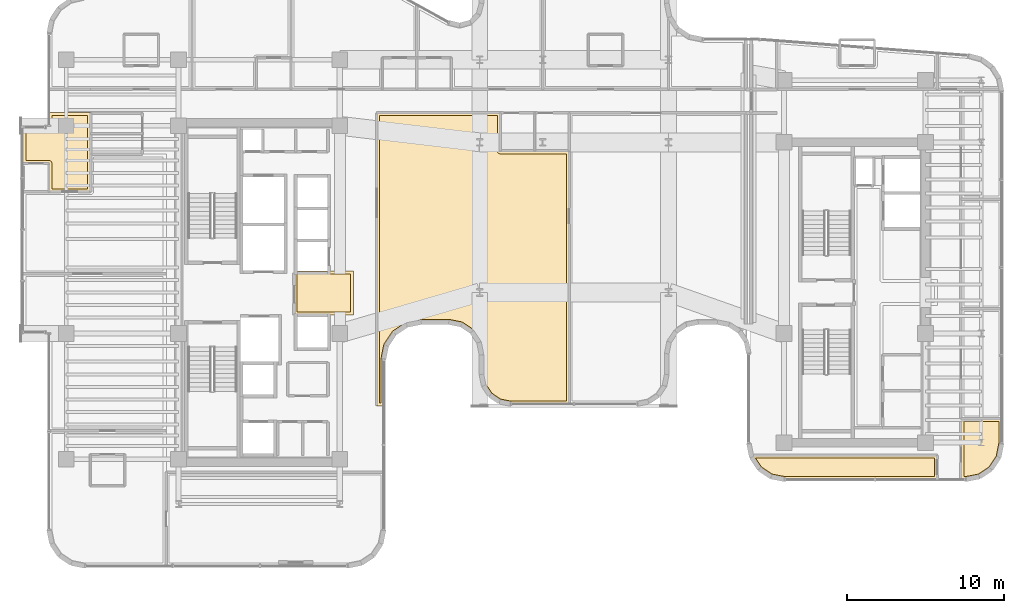
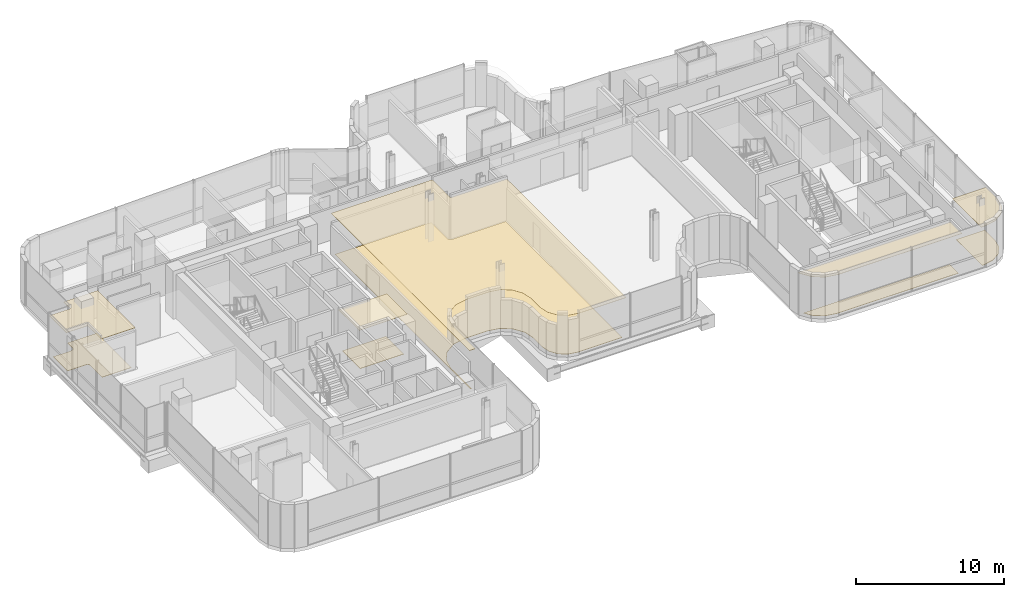
# One storey, part 33 of 36: 10 coverings.
"""IFC4 building model written with IfcOpenShell, lengths in metres."""

import ifcopenshell
import ifcopenshell.guid

model = None  # the IFC model being written
_history = None  # IfcOwnerHistory: only IFC2X3 demands one
_inside = {}  # id of a spatial element -> (the spatial element, [elements in it])
_under = {}  # id of a project, library or spatial element -> (it, [spatial elements below it])
_declared = {}  # id of a project -> (the project, [libraries it declares])
_typed = {}  # id of a type object -> (the type object, [elements of that type])
_made_of = {}  # id of a material, layer set ... -> (it, [elements and type objects made of it])


def new_model(schema):
    """Start an empty IFC model of exactly this schema.

    Asked for "IFC4X3", IfcOpenShell would pick the latest addendum, in which some entities
    have other attributes; the version numbers below select the first issue.
    IFC2X3 requires an IfcOwnerHistory on every rooted entity: one is made here for all.
    """
    global model, _history
    if schema == "IFC4X3":
        model = ifcopenshell.file(schema_version=(4, 3, 0, 0))
    else:
        model = ifcopenshell.file(schema=schema)
    _inside.clear()
    _under.clear()
    _declared.clear()
    _typed.clear()
    _made_of.clear()
    _history = None
    if model.schema == "IFC2X3":
        org = make("IfcOrganization", Name="unknown")
        user = make(
            "IfcPersonAndOrganization",
            ThePerson=make("IfcPerson", FamilyName="unknown"),
            TheOrganization=org,
        )
        app = make(
            "IfcApplication",
            ApplicationDeveloper=org,
            Version="unknown",
            ApplicationFullName="unknown",
            ApplicationIdentifier="unknown",
        )
        _history = make(
            "IfcOwnerHistory",
            OwningUser=user,
            OwningApplication=app,
            ChangeAction="ADDED",
            CreationDate=0,
        )
    return model


def make(cls, **values):
    """One entity of the class cls with the attributes given. An attribute that is None is left unset."""
    return model.create_entity(
        cls, **{name: value for name, value in values.items() if value is not None}
    )


def rooted(cls, **values):
    """An entity with a GlobalId (a new one), such as an element, a storey or a relation."""
    return make(cls, GlobalId=ifcopenshell.guid.new(), OwnerHistory=_history, **values)


def si_unit(unit_type, name, prefix=None):
    """IfcSIUnit, for example si_unit("LENGTHUNIT", "METRE", prefix="MILLI")."""
    return make("IfcSIUnit", UnitType=unit_type, Prefix=prefix, Name=name)


def assignment(units):
    """IfcUnitAssignment: the units of a project."""
    return None if units is None else make("IfcUnitAssignment", Units=units)


def point(xyz):
    """IfcCartesianPoint."""
    return None if xyz is None else make("IfcCartesianPoint", Coordinates=xyz)


def direction(xyz):
    """IfcDirection."""
    return None if xyz is None else make("IfcDirection", DirectionRatios=xyz)


def frame(location, z_axis=None, x_axis=None):
    """IfcAxis2Placement3D, a coordinate frame: its origin and axes. An axis left out is left unset."""
    return make(
        "IfcAxis2Placement3D",
        Location=point(location),
        Axis=direction(z_axis),
        RefDirection=direction(x_axis),
    )


def origin():
    """The frame at (0, 0, 0) with its axes left unset."""
    return frame((0.0, 0.0, 0.0))


def place(relative_to, where):
    """IfcLocalPlacement: puts the frame where relative to a parent placement (None: the world)."""
    return make(
        "IfcLocalPlacement", PlacementRelTo=relative_to, RelativePlacement=where
    )


def context(
    kind, dimensions, precision=None, world=None, true_north=None, identifier=None
):
    """IfcGeometricRepresentationContext, for example the 3D "Model" context."""
    return make(
        "IfcGeometricRepresentationContext",
        ContextIdentifier=identifier,
        ContextType=kind,
        CoordinateSpaceDimension=dimensions,
        Precision=precision,
        WorldCoordinateSystem=world,
        TrueNorth=true_north,
    )


def subcontext(parent, identifier, kind, view, scale=None):
    """IfcGeometricRepresentationSubContext, for example "Body" below "Model"."""
    return make(
        "IfcGeometricRepresentationSubContext",
        ContextIdentifier=identifier,
        ContextType=kind,
        ParentContext=parent,
        TargetScale=scale,
        TargetView=view,
    )


def project(units=None, contexts=None):
    """IfcProject with its units and contexts."""
    return rooted(
        "IfcProject",
        Name="project",
        RepresentationContexts=contexts,
        UnitsInContext=assignment(units),
    )


def spatial(cls, under=None, at=None, **own):
    """A site, building, storey or space (cls), placed at a placement, below another one or the project."""
    s = rooted(cls, ObjectPlacement=at, **own)
    if under is not None:
        _under.setdefault(under.id(), (under, []))[1].append(s)
    return s


def polyline(points):
    """IfcPolyline through the points."""
    return make("IfcPolyline", Points=[point(p) for p in points])


def outline(outer, holes=None, kind="AREA"):
    """IfcArbitraryClosedProfileDef: a profile drawn as a closed curve; with holes, ...WithVoids."""
    if holes is None:
        return make("IfcArbitraryClosedProfileDef", ProfileType=kind, OuterCurve=outer)
    return make(
        "IfcArbitraryProfileDefWithVoids",
        ProfileType=kind,
        OuterCurve=outer,
        InnerCurves=holes,
    )


def extrude(swept, where, along, depth):
    """IfcExtrudedAreaSolid: the profile swept, set in the frame where, extruded along a direction by depth."""
    return make(
        "IfcExtrudedAreaSolid",
        SweptArea=swept,
        Position=where,
        ExtrudedDirection=direction(along),
        Depth=depth,
    )


def shape(context_of_items, identifier, shape_type, items):
    """IfcShapeRepresentation: the items that make up one representation, for example the "Body"."""
    return make(
        "IfcShapeRepresentation",
        ContextOfItems=context_of_items,
        RepresentationIdentifier=identifier,
        RepresentationType=shape_type,
        Items=items,
    )


def material(Name=None, Category=None):
    """IfcMaterial."""
    return make("IfcMaterial", Name=Name, Category=Category)


def layer(
    of_material, thickness, ventilated=None, Name=None, Category=None, Priority=None
):
    """IfcMaterialLayer: one layer of a wall or slab, of a material (None: an air gap)."""
    return make(
        "IfcMaterialLayer",
        Material=of_material,
        LayerThickness=thickness,
        IsVentilated=ventilated,
        Name=Name,
        Category=Category,
        Priority=Priority,
    )


def layer_set(layers, Name=None):
    """IfcMaterialLayerSet."""
    return make("IfcMaterialLayerSet", MaterialLayers=layers, LayerSetName=Name)


def made_of(thing, what):
    """Note that an element or type object is made of a material, layer set ...; save() writes the relation."""
    if what is not None:
        _made_of.setdefault(what.id(), (what, []))[1].append(thing)
    return thing


def type_object(cls, material=None, **own):
    """A type object (cls), such as IfcWallType, which elements share."""
    return made_of(rooted(cls, **own), material)


def element(
    cls,
    number,
    at=None,
    inside=None,
    cuts=None,
    type_object=None,
    material=None,
    context=None,
    identifier="Body",
    shape_type=None,
    held_by="IfcProductDefinitionShape",
    body=None,
    shapes=None,
    **own,
):
    """One element of the class cls, such as IfcWall. Its Tag is "e" and its number.

    at: its placement. inside: the storey or other place that contains it. cuts: it is an
    opening in that element (IfcRelVoidsElement). A single representation is given by context,
    identifier, shape_type and body (its items); several are given by shapes. held_by: the class
    of the entity that holds the representations. save() writes the other relations.
    """
    e = rooted(cls, Tag="e%d" % number, ObjectPlacement=at, **own)
    if body is not None:
        shapes = [shape(context, identifier, shape_type, body)]
    if shapes is not None:
        e.Representation = make(held_by, Representations=shapes)
    if inside is not None:
        _inside.setdefault(inside.id(), (inside, []))[1].append(e)
    if cuts is not None:
        rooted(
            "IfcRelVoidsElement", RelatingBuildingElement=cuts, RelatedOpeningElement=e
        )
    if type_object is not None:
        _typed.setdefault(type_object.id(), (type_object, []))[1].append(e)
    return made_of(e, material)


def aggregate(whole, parts):
    """IfcRelAggregates: a whole, such as a stair, and the parts it consists of."""
    return rooted("IfcRelAggregates", RelatingObject=whole, RelatedObjects=parts)


def save(model, path):
    """Write the relations noted so far, then the file.

    IfcRelAggregates (storeys below a building ...), IfcRelContainedInSpatialStructure (elements
    in a storey), IfcRelDefinesByType, IfcRelAssociatesMaterial and IfcRelDeclares: one each for
    every whole, place, type object, material and project.
    """
    for whole, parts in _under.values():
        aggregate(whole, parts)
    for where, things in _inside.values():
        rooted(
            "IfcRelContainedInSpatialStructure",
            RelatedElements=things,
            RelatingStructure=where,
        )
    for kind, things in _typed.values():
        rooted("IfcRelDefinesByType", RelatedObjects=things, RelatingType=kind)
    for what, things in _made_of.values():
        rooted("IfcRelAssociatesMaterial", RelatedObjects=things, RelatingMaterial=what)
    for by, libraries in _declared.values():
        rooted("IfcRelDeclares", RelatingContext=by, RelatedDefinitions=libraries)
    model.write(path)


model = new_model("IFC4")

# Units and contexts
model_context = context("Model", 3, precision=1e-05, world=origin(), true_north=direction((0.0, 1.0)))
body_context = subcontext(model_context, "Body", "Model", "MODEL_VIEW")
ifc_project = project(units=[si_unit("LENGTHUNIT", "METRE"), si_unit("AREAUNIT", "SQUARE_METRE"), si_unit("VOLUMEUNIT", "CUBIC_METRE"), si_unit("PLANEANGLEUNIT", "RADIAN"), si_unit("MASSUNIT", "GRAM", prefix="KILO")], contexts=[model_context])

# Site, building, storey
site_placement = place(None, origin())
site = spatial("IfcSite", under=ifc_project, at=site_placement, CompositionType="ELEMENT")
building_placement = place(site_placement, origin())
building = spatial("IfcBuilding", under=site, at=building_placement, Name="Valdorenza Pilgrim Sanctuary Tower", CompositionType="ELEMENT")
storey_placement = place(building_placement, frame((0.0, 0.0, 176.550048828125)))
storey = spatial("IfcBuildingStorey", under=building, at=storey_placement, Name="L45", CompositionType="ELEMENT", Elevation=176.550048828125)

# Coverings
ifc_material_1 = material(Name="Micro-perforated acoustic mineral ceiling tile", Category="gypsum")
ifc_layer_1 = layer(ifc_material_1, 0.02490234375, Name="Micro-perforated acoustic mineral ceiling tile")
ifc_layer_set_1 = layer_set([ifc_layer_1], Name="Micro-perforated acoustic mineral ceiling tile")
covering_type_1 = type_object("IfcCoveringType", Name="COV-CLG-ACU", PredefinedType="CEILING", material=ifc_layer_set_1)
covering_1_placement = place(storey_placement, frame((0.0, 0.0, 3.329833984375)))
element("IfcCovering", 1, at=covering_1_placement, inside=storey, type_object=covering_type_1, Name="L45 Core A Passenger Lift Lobby Acoustic Ceiling", PredefinedType="CEILING", context=body_context, shape_type="SweptSolid", body=[
    extrude(outline(polyline([(-15.31298828125, 1.244384765625), (-15.31298828125, 1.24462890625), (-15.313720703125, 1.24609375), (-15.314208984375, 1.24755859375), (-15.314697265625, 1.2490234375), (-15.31494140625, 1.25048828125), (-15.31494140625, 1.251953125), (-15.31494140625, 1.35009765625), (-15.31494140625, 1.3515625), (-15.314697265625, 1.352783203125), (-15.314453125, 1.3544921875), (-15.31396484375, 1.355712890625), (-15.313232421875, 1.357177734375), (-15.3125, 1.3583984375), (-15.3115234375, 1.359619140625), (-15.310546875, 1.360595703125), (-15.3095703125, 1.361572265625), (-15.308349609375, 1.362548828125), (-15.30712890625, 1.36328125), (-15.3056640625, 1.364013671875), (-15.304443359375, 1.364501953125), (-15.302978515625, 1.36474609375), (-15.301513671875, 1.364990234375), (-15.300048828125, 1.364990234375), (-15.10205078125, 1.364990234375), (-15.1005859375, 1.364990234375), (-15.09912109375, 1.36474609375), (-15.097412109375, 1.3642578125), (-15.09619140625, 1.36376953125), (-15.0947265625, 1.363037109375), (-15.094482421875, 1.363037109375), (-13.185546875, 1.363037109375), (-13.185302734375, 1.363037109375), (-13.183837890625, 1.36376953125), (-13.1826171875, 1.3642578125), (-13.180908203125, 1.36474609375), (-13.179443359375, 1.364990234375), (-13.177978515625, 1.364990234375), (-11.550048828125, 1.364990234375), (-11.548583984375, 1.364990234375), (-11.547119140625, 1.36474609375), (-11.545654296875, 1.364501953125), (-11.544189453125, 1.364013671875), (-11.54296875, 1.36328125), (-11.541748046875, 1.362548828125), (-11.54052734375, 1.361572265625), (-11.539306640625, 1.360595703125), (-11.538330078125, 1.359619140625), (-11.53759765625, 1.3583984375), (-11.536865234375, 1.357177734375), (-11.5361328125, 1.355712890625), (-11.53564453125, 1.3544921875), (-11.535400390625, 1.352783203125), (-11.53515625, 1.3515625), (-11.534912109375, 1.35009765625), (-11.534912109375, -1.419921875), (-11.53515625, -1.42138671875), (-11.535400390625, -1.4228515625), (-11.53564453125, -1.42431640625), (-11.5361328125, -1.42578125), (-11.536865234375, -1.427001953125), (-11.53759765625, -1.42822265625), (-11.538330078125, -1.429443359375), (-11.539306640625, -1.4306640625), (-11.54052734375, -1.431640625), (-11.541748046875, -1.4326171875), (-11.54296875, -1.43310546875), (-11.544189453125, -1.433837890625), (-11.545654296875, -1.434326171875), (-11.547119140625, -1.434814453125), (-11.548583984375, -1.434814453125), (-11.550048828125, -1.43505859375), (-15.298095703125, -1.43505859375), (-15.299560546875, -1.434814453125), (-15.30078125, -1.434814453125), (-15.302490234375, -1.434326171875), (-15.3037109375, -1.433837890625), (-15.30517578125, -1.43310546875), (-15.306396484375, -1.4326171875), (-15.3076171875, -1.431640625), (-15.30859375, -1.4306640625), (-15.3095703125, -1.429443359375), (-15.310546875, -1.42822265625), (-15.311279296875, -1.427001953125), (-15.31201171875, -1.42578125), (-15.3125, -1.42431640625), (-15.312744140625, -1.4228515625), (-15.31298828125, -1.42138671875), (-15.31298828125, -1.419921875), (-15.31298828125, 1.244384765625)])), origin(), (0.0, 0.0, 1.0), 0.025146484375),
])
covering_2_placement = place(storey_placement, frame((0.0, 0.0, 3.329833984375)))
element("IfcCovering", 2, at=covering_2_placement, inside=storey, type_object=covering_type_1, Name="L45 Pilgrim Guest Room L45-CN1 Acoustic Ceiling", PredefinedType="CEILING", context=body_context, shape_type="SweptSolid", body=[
    extrude(outline(polyline([(-30.903076171875, 8.194091796875), (-32.5400390625, 8.194091796875), (-32.54150390625, 8.194091796875), (-32.54296875, 8.1943359375), (-32.54443359375, 8.194580078125), (-32.545654296875, 8.195068359375), (-32.547119140625, 8.19580078125), (-32.54833984375, 8.196533203125), (-32.549560546875, 8.197509765625), (-32.550537109375, 8.198486328125), (-32.551513671875, 8.199462890625), (-32.552490234375, 8.20068359375), (-32.55322265625, 8.201904296875), (-32.553955078125, 8.203369140625), (-32.554443359375, 8.20458984375), (-32.5546875, 8.2060546875), (-32.554931640625, 8.20751953125), (-32.554931640625, 8.208984375), (-32.554931640625, 10.489990234375), (-32.554931640625, 10.491455078125), (-32.5546875, 10.492919921875), (-32.554443359375, 10.494384765625), (-32.553955078125, 10.49560546875), (-32.55322265625, 10.4970703125), (-32.552490234375, 10.498291015625), (-32.551513671875, 10.49951171875), (-32.550537109375, 10.50048828125), (-32.549560546875, 10.501708984375), (-32.54833984375, 10.50244140625), (-32.547119140625, 10.503173828125), (-32.545654296875, 10.50390625), (-32.54443359375, 10.50439453125), (-32.54296875, 10.504638671875), (-32.54150390625, 10.5048828125), (-32.5400390625, 10.5048828125), (-31.00048828125, 10.5048828125), (-30.99072265625, 10.505615234375), (-30.9814453125, 10.5068359375), (-30.972412109375, 10.509033203125), (-30.963623046875, 10.51220703125), (-30.955078125, 10.51611328125), (-30.947265625, 10.52099609375), (-30.939697265625, 10.526611328125), (-30.932861328125, 10.53271484375), (-30.926513671875, 10.539794921875), (-30.9208984375, 10.547119140625), (-30.916259765625, 10.55517578125), (-30.912109375, 10.563720703125), (-30.9091796875, 10.572509765625), (-30.90673828125, 10.58154296875), (-30.905517578125, 10.5908203125), (-30.905029296875, 10.600341796875), (-30.905029296875, 11.419921875), (-30.90478515625, 11.42138671875), (-30.90478515625, 11.4228515625), (-30.904296875, 11.42431640625), (-30.90380859375, 11.42578125), (-30.9033203125, 11.427001953125), (-30.902587890625, 11.42822265625), (-30.901611328125, 11.429443359375), (-30.900634765625, 11.4306640625), (-30.8994140625, 11.431640625), (-30.898193359375, 11.4326171875), (-30.897216796875, 11.43310546875), (-30.895751953125, 11.433837890625), (-30.894287109375, 11.434326171875), (-30.892822265625, 11.434814453125), (-30.8916015625, 11.434814453125), (-30.889892578125, 11.43505859375), (-28.25, 11.43505859375), (-28.24853515625, 11.434814453125), (-28.2470703125, 11.434814453125), (-28.24560546875, 11.434326171875), (-28.244384765625, 11.433837890625), (-28.242919921875, 11.43310546875), (-28.24169921875, 11.4326171875), (-28.240478515625, 11.431640625), (-28.239501953125, 11.4306640625), (-28.23828125, 11.429443359375), (-28.237548828125, 11.42822265625), (-28.23681640625, 11.427001953125), (-28.236083984375, 11.42578125), (-28.235595703125, 11.42431640625), (-28.2353515625, 11.4228515625), (-28.235107421875, 11.42138671875), (-28.235107421875, 11.419921875), (-28.235107421875, 11.402099609375), (-28.235107421875, 11.400390625), (-28.2353515625, 11.39892578125), (-28.235595703125, 11.3974609375), (-28.236083984375, 11.39599609375), (-28.23681640625, 11.394775390625), (-28.237060546875, 11.39453125), (-28.237060546875, 10.103759765625), (-28.23681640625, 10.10302734375), (-28.23681640625, 10.1015625), (-28.23681640625, 10.10009765625), (-28.23681640625, 10.098388671875), (-28.237060546875, 10.09814453125), (-28.237060546875, 8.805419921875), (-28.23681640625, 8.805419921875), (-28.236083984375, 8.803955078125), (-28.235595703125, 8.802490234375), (-28.2353515625, 8.801025390625), (-28.235107421875, 8.799560546875), (-28.235107421875, 8.798095703125), (-28.235107421875, 6.39990234375), (-28.235107421875, 6.3984375), (-28.2353515625, 6.397216796875), (-28.235595703125, 6.3955078125), (-28.236083984375, 6.394287109375), (-28.23681640625, 6.392822265625), (-28.237548828125, 6.3916015625), (-28.23828125, 6.390380859375), (-28.239501953125, 6.389404296875), (-28.240478515625, 6.388427734375), (-28.24169921875, 6.387451171875), (-28.242919921875, 6.38671875), (-28.244384765625, 6.385986328125), (-28.24560546875, 6.385498046875), (-28.2470703125, 6.38525390625), (-28.24853515625, 6.385009765625), (-28.25, 6.385009765625), (-30.887939453125, 6.385009765625), (-30.889404296875, 6.385009765625), (-30.890869140625, 6.38525390625), (-30.892333984375, 6.385498046875), (-30.893798828125, 6.385986328125), (-30.89501953125, 6.38671875), (-30.896240234375, 6.387451171875), (-30.8974609375, 6.388427734375), (-30.898681640625, 6.389404296875), (-30.899658203125, 6.390380859375), (-30.900390625, 6.3916015625), (-30.901123046875, 6.392822265625), (-30.90185546875, 6.394287109375), (-30.90234375, 6.3955078125), (-30.902587890625, 6.397216796875), (-30.90283203125, 6.3984375), (-30.903076171875, 6.39990234375), (-30.903076171875, 8.194091796875)])), origin(), (0.0, 0.0, 1.0), 0.025146484375),
])
covering_3_placement = place(storey_placement, frame((0.0, 0.0, 3.329833984375)))
element("IfcCovering", 3, at=covering_3_placement, inside=storey, type_object=covering_type_1, Name="L45 Congregational Prayer Hall Acoustic Ceiling", PredefinedType="CEILING", context=body_context, shape_type="SweptSolid", body=[
    extrude(outline(polyline([(-10.06494140625, 11.419921875), (-10.06494140625, 11.42138671875), (-10.064697265625, 11.4228515625), (-10.064453125, 11.42431640625), (-10.06396484375, 11.42578125), (-10.063232421875, 11.427001953125), (-10.0625, 11.42822265625), (-10.0615234375, 11.429443359375), (-10.060546875, 11.4306640625), (-10.0595703125, 11.431640625), (-10.058349609375, 11.4326171875), (-10.05712890625, 11.43310546875), (-10.0556640625, 11.433837890625), (-10.054443359375, 11.434326171875), (-10.052978515625, 11.434814453125), (-10.051513671875, 11.434814453125), (-10.050048828125, 11.43505859375), (-2.201904296875, 11.43505859375), (-2.200439453125, 11.434814453125), (-2.19921875, 11.434814453125), (-2.197509765625, 11.434326171875), (-2.1962890625, 11.433837890625), (-2.19482421875, 11.43310546875), (-2.193603515625, 11.4326171875), (-2.1923828125, 11.431640625), (-2.19140625, 11.4306640625), (-2.1904296875, 11.429443359375), (-2.189453125, 11.42822265625), (-2.188720703125, 11.427001953125), (-2.18798828125, 11.42578125), (-2.1875, 11.42431640625), (-2.187255859375, 11.4228515625), (-2.18701171875, 11.42138671875), (-2.18701171875, 11.419921875), (-2.18701171875, 9.012939453125), (-0.001708984375, 9.012939453125), (-0.001220703125, 9.01318359375), (0.00048828125, 9.01318359375), (0.001953125, 9.01318359375), (0.00341796875, 9.01318359375), (0.00390625, 9.012939453125), (2.199951171875, 9.012939453125), (2.201416015625, 9.012939453125), (2.202880859375, 9.0126953125), (2.204345703125, 9.012451171875), (2.205810546875, 9.011962890625), (2.20703125, 9.01123046875), (2.208251953125, 9.010498046875), (2.20947265625, 9.009521484375), (2.210693359375, 9.008544921875), (2.211669921875, 9.007568359375), (2.21240234375, 9.00634765625), (2.213134765625, 9.005126953125), (2.2138671875, 9.003662109375), (2.21435546875, 9.00244140625), (2.214599609375, 9.0009765625), (2.21484375, 8.99951171875), (2.215087890625, 8.998046875), (2.215087890625, -7.090087890625), (2.21484375, -7.091552734375), (2.214599609375, -7.093017578125), (2.21435546875, -7.094482421875), (2.2138671875, -7.095703125), (2.213134765625, -7.09716796875), (2.21240234375, -7.098388671875), (2.211669921875, -7.099609375), (2.210693359375, -7.1005859375), (2.20947265625, -7.1015625), (2.208251953125, -7.1025390625), (2.20703125, -7.103271484375), (2.205810546875, -7.10400390625), (2.204345703125, -7.1044921875), (2.202880859375, -7.104736328125), (2.201416015625, -7.10498046875), (2.199951171875, -7.10498046875), (-1.51318359375, -7.10498046875), (-1.5146484375, -7.10498046875), (-1.51611328125, -7.104736328125), (-2.240234375, -6.960693359375), (-2.24169921875, -6.960205078125), (-2.242919921875, -6.959716796875), (-2.244384765625, -6.959228515625), (-2.24560546875, -6.95849609375), (-2.85009765625, -6.554443359375), (-2.851318359375, -6.553466796875), (-2.8525390625, -6.552490234375), (-2.853515625, -6.551513671875), (-2.8544921875, -6.55029296875), (-3.258544921875, -5.945556640625), (-3.25927734375, -5.9443359375), (-3.259765625, -5.943115234375), (-3.26025390625, -5.941650390625), (-3.2607421875, -5.940185546875), (-3.40478515625, -5.216064453125), (-3.40478515625, -5.214599609375), (-3.405029296875, -5.213134765625), (-3.405029296875, -3.976318359375), (-3.405517578125, -3.966796875), (-3.406982421875, -3.95703125), (-3.55712890625, -3.20166015625), (-3.5595703125, -3.192138671875), (-3.5625, -3.183349609375), (-3.566650390625, -3.175048828125), (-3.571533203125, -3.166748046875), (-3.99951171875, -2.5263671875), (-4.00537109375, -2.5185546875), (-4.01171875, -2.51171875), (-4.0185546875, -2.50537109375), (-4.0263671875, -2.49951171875), (-4.666748046875, -2.071533203125), (-4.675048828125, -2.066650390625), (-4.683349609375, -2.0625), (-4.692138671875, -2.0595703125), (-4.70166015625, -2.05712890625), (-5.45703125, -1.906982421875), (-5.466796875, -1.905517578125), (-5.476318359375, -1.905029296875), (-7.219482421875, -1.905029296875), (-7.229248046875, -1.905517578125), (-7.239013671875, -1.906982421875), (-8.110595703125, -2.080322265625), (-8.1201171875, -2.082763671875), (-8.12890625, -2.085693359375), (-8.13720703125, -2.08984375), (-8.1455078125, -2.0947265625), (-8.884765625, -2.588623046875), (-8.892578125, -2.594482421875), (-8.8994140625, -2.6005859375), (-8.905517578125, -2.607421875), (-8.911376953125, -2.615234375), (-9.4052734375, -3.3544921875), (-9.41015625, -3.36279296875), (-9.414306640625, -3.37109375), (-9.417236328125, -3.3798828125), (-9.419677734375, -3.389404296875), (-9.593017578125, -4.260986328125), (-9.594482421875, -4.270751953125), (-9.594970703125, -4.280517578125), (-9.594970703125, -7.199951171875), (-9.59521484375, -7.201416015625), (-9.59521484375, -7.202880859375), (-9.595703125, -7.204345703125), (-9.59619140625, -7.205810546875), (-9.5966796875, -7.20703125), (-9.597412109375, -7.208251953125), (-9.598388671875, -7.20947265625), (-9.599365234375, -7.210693359375), (-9.6005859375, -7.211669921875), (-9.601806640625, -7.21240234375), (-9.602783203125, -7.213134765625), (-9.604248046875, -7.2138671875), (-9.605712890625, -7.21435546875), (-9.607177734375, -7.214599609375), (-9.6083984375, -7.21484375), (-9.610107421875, -7.215087890625), (-10.050048828125, -7.215087890625), (-10.051513671875, -7.21484375), (-10.052978515625, -7.214599609375), (-10.054443359375, -7.21435546875), (-10.0556640625, -7.2138671875), (-10.05712890625, -7.213134765625), (-10.058349609375, -7.21240234375), (-10.0595703125, -7.211669921875), (-10.060546875, -7.210693359375), (-10.0615234375, -7.20947265625), (-10.0625, -7.208251953125), (-10.063232421875, -7.20703125), (-10.06396484375, -7.205810546875), (-10.064453125, -7.204345703125), (-10.064697265625, -7.202880859375), (-10.06494140625, -7.201416015625), (-10.06494140625, -7.199951171875), (-10.06494140625, 11.419921875)])), origin(), (0.0, 0.0, 1.0), 0.025146484375),
])
covering_4_placement = place(storey_placement, frame((0.0, 0.0, 3.329833984375)))
element("IfcCovering", 4, at=covering_4_placement, inside=storey, type_object=covering_type_1, Name="L45 Sacred Manuscript Archive L45-BS Acoustic Ceiling", PredefinedType="CEILING", context=body_context, shape_type="SweptSolid", body=[
    extrude(outline(polyline([(25.614990234375, -11.889892578125), (25.614990234375, -11.8916015625), (25.61474609375, -11.892822265625), (25.614501953125, -11.894287109375), (25.614013671875, -11.895751953125), (25.61328125, -11.897216796875), (25.612548828125, -11.898193359375), (25.611572265625, -11.8994140625), (25.610595703125, -11.900634765625), (25.609619140625, -11.901611328125), (25.6083984375, -11.902587890625), (25.607177734375, -11.9033203125), (25.605712890625, -11.90380859375), (25.6044921875, -11.904296875), (25.602783203125, -11.90478515625), (25.6015625, -11.90478515625), (25.60009765625, -11.905029296875), (15.910888671875, -11.905029296875), (15.909423828125, -11.90478515625), (15.907958984375, -11.90478515625), (15.021484375, -11.728515625), (15.020263671875, -11.72802734375), (15.018798828125, -11.7275390625), (15.017333984375, -11.726806640625), (15.01611328125, -11.726318359375), (14.27392578125, -11.230224609375), (14.272705078125, -11.2294921875), (14.271484375, -11.228515625), (14.2705078125, -11.227294921875), (14.269775390625, -11.22607421875), (13.773681640625, -10.48388671875), (13.773193359375, -10.482666015625), (13.7724609375, -10.481201171875), (13.77197265625, -10.479736328125), (13.771484375, -10.478515625), (13.74658203125, -10.352783203125), (13.746337890625, -10.3515625), (13.746337890625, -10.35009765625), (13.746337890625, -10.348388671875), (13.74658203125, -10.34716796875), (13.7470703125, -10.345703125), (13.74755859375, -10.34423828125), (13.748046875, -10.343017578125), (13.748779296875, -10.341796875), (13.749755859375, -10.340576171875), (13.750732421875, -10.33935546875), (13.751708984375, -10.33837890625), (13.7529296875, -10.33740234375), (13.75439453125, -10.3369140625), (13.755615234375, -10.336181640625), (13.757080078125, -10.335693359375), (13.75830078125, -10.335205078125), (13.760009765625, -10.335205078125), (13.761474609375, -10.3349609375), (25.60009765625, -10.3349609375), (25.6015625, -10.335205078125), (25.602783203125, -10.335205078125), (25.6044921875, -10.335693359375), (25.605712890625, -10.336181640625), (25.607177734375, -10.3369140625), (25.6083984375, -10.33740234375), (25.609619140625, -10.33837890625), (25.610595703125, -10.33935546875), (25.611572265625, -10.340576171875), (25.612548828125, -10.341796875), (25.61328125, -10.343017578125), (25.614013671875, -10.34423828125), (25.614501953125, -10.345703125), (25.61474609375, -10.34716796875), (25.614990234375, -10.348388671875), (25.614990234375, -10.35009765625), (25.614990234375, -11.889892578125)])), origin(), (0.0, 0.0, 1.0), 0.025146484375),
])
covering_5_placement = place(storey_placement, frame((0.0, 0.0, 3.329833984375)))
element("IfcCovering", 5, at=covering_5_placement, inside=storey, type_object=covering_type_1, Name="L45 East Reading Lounge L45-EB1 Acoustic Ceiling", PredefinedType="CEILING", context=body_context, shape_type="SweptSolid", body=[
    extrude(outline(polyline([(29.68994140625, -8.0048828125), (29.69140625, -8.005126953125), (29.69287109375, -8.00537109375), (29.6943359375, -8.005615234375), (29.69580078125, -8.006103515625), (29.697021484375, -8.0068359375), (29.6982421875, -8.007568359375), (29.699462890625, -8.00830078125), (29.70068359375, -8.009521484375), (29.70166015625, -8.010498046875), (29.702392578125, -8.01171875), (29.703125, -8.012939453125), (29.703857421875, -8.014404296875), (29.704345703125, -8.015625), (29.70458984375, -8.01708984375), (29.704833984375, -8.0185546875), (29.705078125, -8.02001953125), (29.705078125, -9.589111328125), (29.704833984375, -9.590576171875), (29.70458984375, -9.592041015625), (29.5283203125, -10.478515625), (29.528076171875, -10.479736328125), (29.527587890625, -10.481201171875), (29.52685546875, -10.482666015625), (29.526123046875, -10.48388671875), (29.0302734375, -11.22607421875), (29.029296875, -11.227294921875), (29.0283203125, -11.228515625), (29.02734375, -11.2294921875), (29.026123046875, -11.230224609375), (28.28369140625, -11.726318359375), (28.28271484375, -11.726806640625), (28.28125, -11.7275390625), (28.27978515625, -11.72802734375), (28.2783203125, -11.728515625), (27.39208984375, -11.90478515625), (27.390625, -11.90478515625), (27.38916015625, -11.905029296875), (27.10009765625, -11.905029296875), (27.098388671875, -11.90478515625), (27.09716796875, -11.90478515625), (27.095703125, -11.904296875), (27.09423828125, -11.90380859375), (27.093017578125, -11.9033203125), (27.091796875, -11.902587890625), (27.090576171875, -11.901611328125), (27.08935546875, -11.900634765625), (27.08837890625, -11.8994140625), (27.08740234375, -11.898193359375), (27.0869140625, -11.897216796875), (27.086181640625, -11.895751953125), (27.085693359375, -11.894287109375), (27.085205078125, -11.892822265625), (27.085205078125, -11.8916015625), (27.0849609375, -11.889892578125), (27.0849609375, -8.02001953125), (27.085205078125, -8.0185546875), (27.085205078125, -8.01708984375), (27.085693359375, -8.015625), (27.086181640625, -8.014404296875), (27.0869140625, -8.012939453125), (27.08740234375, -8.01171875), (27.08837890625, -8.010498046875), (27.08935546875, -8.009521484375), (27.090576171875, -8.00830078125), (27.091796875, -8.007568359375), (27.093017578125, -8.0068359375), (27.09423828125, -8.006103515625), (27.095703125, -8.005615234375), (27.09716796875, -8.00537109375), (27.098388671875, -8.005126953125), (27.10009765625, -8.0048828125), (29.68994140625, -8.0048828125)])), origin(), (0.0, 0.0, 1.0), 0.025146484375),
])
ifc_material_2 = material(Name="Engineered European oak timber flooring", Category="wood")
ifc_layer_2 = layer(ifc_material_2, 0.02197265625, Name="Engineered European oak timber flooring")
ifc_layer_set_2 = layer_set([ifc_layer_2], Name="Engineered European oak timber flooring")
covering_type_2 = type_object("IfcCoveringType", Name="COV-FLR-OAK", PredefinedType="FLOORING", material=ifc_layer_set_2)
covering_6_placement = place(storey_placement, origin())
element("IfcCovering", 6, at=covering_6_placement, inside=storey, type_object=covering_type_2, Name="L45 Pilgrim Guest Room L45-CN1 Flooring", PredefinedType="FLOORING", context=body_context, shape_type="SweptSolid", body=[
    extrude(outline(polyline([(-28.431884765625, 11.239990234375), (-28.431884765625, 10.10205078125), (-28.431884765625, 10.10107421875), (-28.431884765625, 10.100341796875), (-28.431884765625, 10.10009765625), (-28.431884765625, 8.800048828125), (-28.43017578125, 6.580078125), (-30.7080078125, 6.580078125), (-30.7080078125, 8.20703125), (-30.708251953125, 8.2158203125), (-30.708251953125, 8.216064453125), (-30.7099609375, 8.233642578125), (-30.7099609375, 8.23388671875), (-30.71337890625, 8.251220703125), (-30.71337890625, 8.251220703125), (-30.718505859375, 8.268310546875), (-30.71875, 8.268310546875), (-30.725341796875, 8.28466796875), (-30.7255859375, 8.284912109375), (-30.73388671875, 8.300537109375), (-30.73388671875, 8.300537109375), (-30.743896484375, 8.315185546875), (-30.743896484375, 8.3154296875), (-30.755126953125, 8.3291015625), (-30.755126953125, 8.329345703125), (-30.767578125, 8.341796875), (-30.767822265625, 8.341796875), (-30.781494140625, 8.35302734375), (-30.78173828125, 8.353271484375), (-30.79638671875, 8.363037109375), (-30.79638671875, 8.36328125), (-30.81201171875, 8.37158203125), (-30.812255859375, 8.37158203125), (-30.82861328125, 8.37841796875), (-30.828857421875, 8.37841796875), (-30.845703125, 8.383544921875), (-30.845947265625, 8.383544921875), (-30.86328125, 8.386962890625), (-30.86328125, 8.386962890625), (-30.881103515625, 8.388916015625), (-30.881103515625, 8.388916015625), (-30.889892578125, 8.388916015625), (-32.360107421875, 8.388916015625), (-32.360107421875, 10.31005859375), (-31.0, 10.31005859375), (-30.9912109375, 10.310302734375), (-30.98046875, 10.310791015625), (-30.962890625, 10.3125), (-30.9521484375, 10.314208984375), (-30.934814453125, 10.3173828125), (-30.92431640625, 10.320068359375), (-30.907470703125, 10.3251953125), (-30.897216796875, 10.328857421875), (-30.880859375, 10.335693359375), (-30.87109375, 10.34033203125), (-30.855712890625, 10.3486328125), (-30.84619140625, 10.35400390625), (-30.831787109375, 10.364013671875), (-30.822998046875, 10.370361328125), (-30.809326171875, 10.381591796875), (-30.80126953125, 10.388916015625), (-30.788818359375, 10.4013671875), (-30.781494140625, 10.4091796875), (-30.7705078125, 10.423095703125), (-30.763916015625, 10.431640625), (-30.754150390625, 10.4462890625), (-30.74853515625, 10.45556640625), (-30.740234375, 10.47119140625), (-30.735595703125, 10.48095703125), (-30.72900390625, 10.497314453125), (-30.725341796875, 10.50732421875), (-30.72021484375, 10.5244140625), (-30.717529296875, 10.534912109375), (-30.714111328125, 10.552001953125), (-30.71240234375, 10.562744140625), (-30.710693359375, 10.580322265625), (-30.710205078125, 10.59130859375), (-30.7099609375, 10.60009765625), (-30.7099609375, 11.239990234375), (-28.431884765625, 11.239990234375)])), origin(), (0.0, 0.0, 1.0), 0.02490234375),
])
ifc_material_3 = material(Name="Honed travertine stone flooring", Category="masonry")
ifc_layer_3 = layer(ifc_material_3, 0.030029296875, Name="Honed travertine stone flooring")
ifc_layer_set_3 = layer_set([ifc_layer_3], Name="Honed travertine stone flooring")
covering_type_3 = type_object("IfcCoveringType", Name="COV-FLR-TRV", PredefinedType="FLOORING", material=ifc_layer_set_3)
covering_7_placement = place(storey_placement, origin())
element("IfcCovering", 7, at=covering_7_placement, inside=storey, type_object=covering_type_3, Name="L45 Core A Passenger Lift Lobby Flooring", PredefinedType="FLOORING", context=body_context, shape_type="SweptSolid", body=[
    extrude(outline(polyline([(-15.117919921875, 1.169189453125), (-15.10888671875, 1.168212890625), (-15.10888671875, 1.168212890625), (-15.10009765625, 1.16796875), (-13.179931640625, 1.16796875), (-13.1796875, 1.16796875), (-11.72998046875, 1.169921875), (-11.72998046875, -1.239990234375), (-15.117919921875, -1.239990234375), (-15.117919921875, 1.169189453125)])), origin(), (0.0, 0.0, 1.0), 0.02490234375),
])
covering_8_placement = place(storey_placement, origin())
element("IfcCovering", 8, at=covering_8_placement, inside=storey, type_object=covering_type_3, Name="L45 Congregational Prayer Hall Flooring", PredefinedType="FLOORING", context=body_context, shape_type="SweptSolid", body=[
    extrude(outline(polyline([(-9.8701171875, 11.239990234375), (-2.382080078125, 11.239990234375), (-2.382080078125, 9.0), (-2.3818359375, 8.9912109375), (-2.3818359375, 8.990966796875), (-2.3798828125, 8.973388671875), (-2.3798828125, 8.97314453125), (-2.376708984375, 8.955810546875), (-2.37646484375, 8.955810546875), (-2.371337890625, 8.938720703125), (-2.371337890625, 8.938720703125), (-2.364501953125, 8.92236328125), (-2.364501953125, 8.922119140625), (-2.356201171875, 8.906494140625), (-2.356201171875, 8.906494140625), (-2.34619140625, 8.8916015625), (-2.34619140625, 8.8916015625), (-2.3349609375, 8.8779296875), (-2.334716796875, 8.877685546875), (-2.322265625, 8.865234375), (-2.322021484375, 8.864990234375), (-2.30859375, 8.85400390625), (-2.308349609375, 8.853759765625), (-2.293701171875, 8.843994140625), (-2.29345703125, 8.84375), (-2.27783203125, 8.83544921875), (-2.277587890625, 8.83544921875), (-2.261474609375, 8.82861328125), (-2.26123046875, 8.82861328125), (-2.244384765625, 8.823486328125), (-2.244140625, 8.823486328125), (-2.226806640625, 8.820068359375), (-2.2265625, 8.820068359375), (-2.208984375, 8.818115234375), (-2.208740234375, 8.818115234375), (-2.199951171875, 8.818115234375), (0.0, 8.818115234375), (0.0009765625, 8.818115234375), (0.001708984375, 8.818115234375), (0.001953125, 8.818115234375), (2.02001953125, 8.818115234375), (2.02001953125, -6.909912109375), (-1.495361328125, -6.909912109375), (-2.1669921875, -6.7763671875), (-2.712158203125, -6.412109375), (-3.076416015625, -5.866943359375), (-3.2099609375, -5.1953125), (-3.2099609375, -3.97607421875), (-3.210205078125, -3.96728515625), (-3.210693359375, -3.956298828125), (-3.21240234375, -3.938720703125), (-3.214111328125, -3.927978515625), (-3.215576171875, -3.91943359375), (-3.365966796875, -3.1630859375), (-3.367919921875, -3.154541015625), (-3.37060546875, -3.14404296875), (-3.375732421875, -3.127197265625), (-3.37939453125, -3.1171875), (-3.385986328125, -3.1005859375), (-3.390625, -3.091064453125), (-3.39892578125, -3.075439453125), (-3.404541015625, -3.066162109375), (-3.4091796875, -3.05859375), (-3.837646484375, -2.417724609375), (-3.8427734375, -2.410400390625), (-3.84912109375, -2.40185546875), (-3.8603515625, -2.38818359375), (-3.86767578125, -2.380126953125), (-3.880126953125, -2.36767578125), (-3.88818359375, -2.3603515625), (-3.90185546875, -2.34912109375), (-3.910400390625, -2.3427734375), (-3.917724609375, -2.337646484375), (-4.55859375, -1.9091796875), (-4.566162109375, -1.904541015625), (-4.575439453125, -1.89892578125), (-4.591064453125, -1.890625), (-4.6005859375, -1.885986328125), (-4.6171875, -1.87939453125), (-4.627197265625, -1.875732421875), (-4.64404296875, -1.87060546875), (-4.654541015625, -1.867919921875), (-4.6630859375, -1.865966796875), (-5.41943359375, -1.715576171875), (-5.427978515625, -1.714111328125), (-5.438720703125, -1.71240234375), (-5.456298828125, -1.710693359375), (-5.46728515625, -1.710205078125), (-5.47607421875, -1.7099609375), (-7.219970703125, -1.7099609375), (-7.228759765625, -1.710205078125), (-7.239501953125, -1.710693359375), (-7.257080078125, -1.71240234375), (-7.267822265625, -1.714111328125), (-7.276611328125, -1.715576171875), (-8.149169921875, -1.88916015625), (-8.15771484375, -1.89111328125), (-8.168212890625, -1.893798828125), (-8.18505859375, -1.89892578125), (-8.1953125, -1.902587890625), (-8.211669921875, -1.9091796875), (-8.22119140625, -1.913818359375), (-8.23681640625, -1.922119140625), (-8.24609375, -1.927734375), (-8.253662109375, -1.9326171875), (-8.993408203125, -2.4267578125), (-9.00048828125, -2.431884765625), (-9.00927734375, -2.438232421875), (-9.02294921875, -2.449462890625), (-9.031005859375, -2.45654296875), (-9.04345703125, -2.468994140625), (-9.050537109375, -2.47705078125), (-9.061767578125, -2.49072265625), (-9.068115234375, -2.49951171875), (-9.0732421875, -2.506591796875), (-9.5673828125, -3.246337890625), (-9.572265625, -3.25390625), (-9.577880859375, -3.26318359375), (-9.586181640625, -3.27880859375), (-9.5908203125, -3.288330078125), (-9.597412109375, -3.3046875), (-9.60107421875, -3.31494140625), (-9.606201171875, -3.331787109375), (-9.60888671875, -3.34228515625), (-9.61083984375, -3.350830078125), (-9.784423828125, -4.223388671875), (-9.785888671875, -4.232177734375), (-9.78759765625, -4.242919921875), (-9.789306640625, -4.260498046875), (-9.789794921875, -4.271240234375), (-9.7900390625, -4.280029296875), (-9.7900390625, -7.02001953125), (-9.8701171875, -7.02001953125), (-9.8701171875, 11.239990234375)])), origin(), (0.0, 0.0, 1.0), 0.02490234375),
])
covering_9_placement = place(storey_placement, origin())
element("IfcCovering", 9, at=covering_9_placement, inside=storey, type_object=covering_type_3, Name="L45 Sacred Manuscript Archive L45-BS Flooring", PredefinedType="FLOORING", context=body_context, shape_type="SweptSolid", body=[
    extrude(outline(polyline([(14.039306640625, -10.530029296875), (25.419921875, -10.530029296875), (25.419921875, -11.7099609375), (15.9287109375, -11.7099609375), (15.0947265625, -11.544189453125), (14.412109375, -11.087890625), (14.039306640625, -10.530029296875)])), origin(), (0.0, 0.0, 1.0), 0.02490234375),
])
covering_10_placement = place(storey_placement, origin())
element("IfcCovering", 10, at=covering_10_placement, inside=storey, type_object=covering_type_3, Name="L45 East Reading Lounge L45-EB1 Flooring", PredefinedType="FLOORING", context=body_context, shape_type="SweptSolid", body=[
    extrude(outline(polyline([(29.510009765625, -8.199951171875), (29.510009765625, -9.5712890625), (29.343994140625, -10.4052734375), (28.887939453125, -11.087890625), (28.205322265625, -11.544189453125), (27.371337890625, -11.7099609375), (27.280029296875, -11.7099609375), (27.280029296875, -8.199951171875), (29.510009765625, -8.199951171875)])), origin(), (0.0, 0.0, 1.0), 0.02490234375),
])

save(model, "model.ifc")
